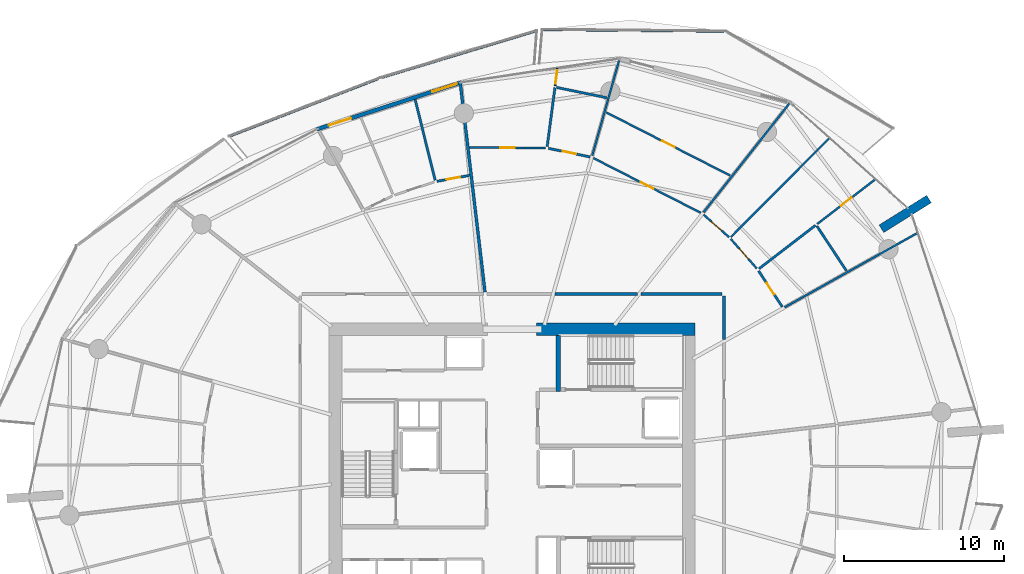
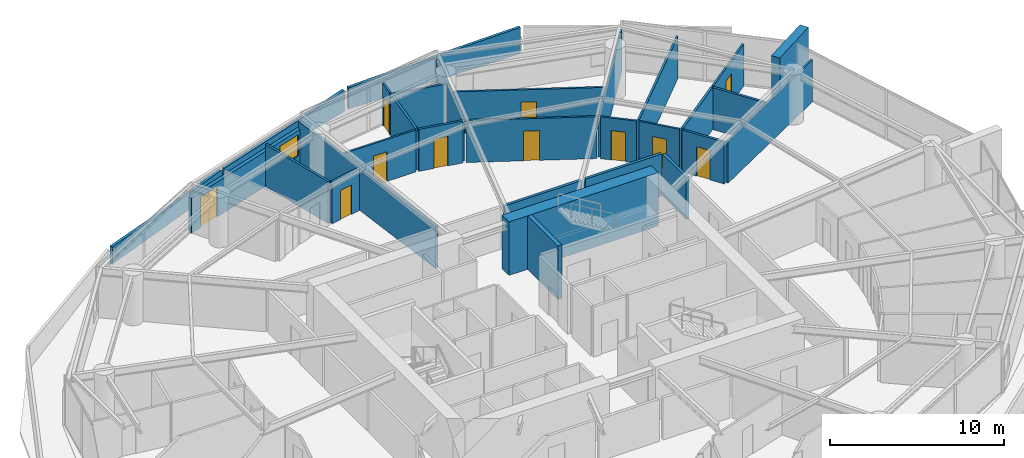
# One storey, part 15 of 23: 30 walls, 11 doors, 1 window, 12 openings.
"""IFC4 building model written with IfcOpenShell, lengths in metres."""

from ifc_helpers import new_model, si_unit, direction, frame, frame_2d, origin, place, context, subcontext, project, spatial, polyline, rectangle, outline, extrude, material, layer, layer_set, type_object, element, fill, save


model = new_model("IFC4")

# Units and contexts
model_context = context("Model", 3, precision=1e-05, world=origin(), true_north=direction((0.0, 1.0)))
body_context = subcontext(model_context, "Body", "Model", "MODEL_VIEW")
ifc_project = project(units=[si_unit("LENGTHUNIT", "METRE"), si_unit("AREAUNIT", "SQUARE_METRE"), si_unit("VOLUMEUNIT", "CUBIC_METRE"), si_unit("PLANEANGLEUNIT", "RADIAN"), si_unit("MASSUNIT", "GRAM", prefix="KILO")], contexts=[model_context])

# Site, building, storey
site_placement = place(None, origin())
site = spatial("IfcSite", under=ifc_project, at=site_placement, CompositionType="ELEMENT")
building_placement = place(site_placement, origin())
building = spatial("IfcBuilding", under=site, at=building_placement, Name="Kazma Halo Residences", CompositionType="ELEMENT")
storey_placement = place(building_placement, frame((0.0, 0.0, 101.39990234375)))
storey = spatial("IfcBuildingStorey", under=building, at=storey_placement, Name="L25", CompositionType="ELEMENT", Elevation=101.39990234375)

# Walls
ifc_material_1 = material(Name="White Concrete C50/60 Balustrade", Category="concrete")
ifc_layer_1 = layer(ifc_material_1, 0.179931640625)
ifc_layer_set_1 = layer_set([ifc_layer_1], Name="White Concrete C50/60 Balustrade")
wall_type_1 = type_object("IfcWallType", Name="WL-BAL-WAVE-180", PredefinedType="PARAPET", material=ifc_layer_set_1)
wall_1_placement = place(storey_placement, frame((61.637451171875, 69.00146484375, 0.0), z_axis=(0.0, 0.0, 1.0), x_axis=(-0.999958909473, 0.009065283509, 0.0)))
element("IfcWall", 1, at=wall_1_placement, inside=storey, type_object=wall_type_1, Name="L25 white wave balustrade wall NE.2", PredefinedType="PARAPET", context=body_context, shape_type="SweptSolid", body=[
    extrude(outline(polyline([(0.0, 0.0), (11.338134765625, 0.0), (11.338134765625, 1.4970703125), (5.669189453125, 1.696044921875), (0.0, 1.83203125), (0.0, 0.0)])), frame((0.0, 0.08984375, 0.0), z_axis=(0.0, -1.0, 0.0), x_axis=(1.0, 0.0, 0.0)), (0.0, 0.0, 1.0), 0.179931640625),
])
wall_2_placement = place(storey_placement, frame((49.961669921875, 69.035888671875, 0.0), z_axis=(0.0, 0.0, 1.0), x_axis=(-0.957356090971, -0.288910565886, 0.0)))
element("IfcWall", 2, at=wall_2_placement, inside=storey, type_object=wall_type_1, Name="L25 white wave balustrade wall NNW.1", PredefinedType="PARAPET", context=body_context, shape_type="SweptSolid", body=[
    extrude(outline(polyline([(0.0, 0.0), (10.1025390625, 0.0), (10.1025390625, 1.148193359375), (5.05126953125, 1.2841796875), (0.0, 1.483154296875), (0.0, 0.0)])), frame((0.0, 0.08984375, 0.0), z_axis=(0.0, -1.0, 0.0), x_axis=(1.0, 0.0, 0.0)), (0.0, 0.0, 1.0), 0.179931640625),
])
wall_3_placement = place(storey_placement, frame((40.063232421875, 66.039306640625, 0.0), z_axis=(0.0, 0.0, 1.0), x_axis=(-0.93269770772, -0.360659099446, 0.0)))
element("IfcWall", 3, at=wall_3_placement, inside=storey, type_object=wall_type_1, Name="L25 white wave balustrade wall NNW.2", PredefinedType="PARAPET", context=body_context, shape_type="SweptSolid", body=[
    extrude(outline(polyline([(0.0, 0.0), (9.97802734375, 0.0), (9.977783203125, 1.22412109375), (4.989013671875, 1.127197265625), (0.0, 1.148193359375), (0.0, 0.0)])), frame((0.0, 0.08984375, 0.0), z_axis=(0.0, -1.0, 0.0), x_axis=(1.0, 0.0, 0.0)), (0.0, 0.0, 1.0), 0.179931640625),
])
ifc_material_2 = material(Name="Pale Concrete C60/75", Category="concrete")
ifc_layer_2 = layer(ifc_material_2, 0.550048828125)
ifc_layer_set_2 = layer_set([ifc_layer_2], Name="Pale Concrete C60/75")
wall_type_2 = type_object("IfcWallType", Name="WL-BLADE-550", PredefinedType="SOLIDWALL", material=ifc_layer_set_2)
wall_4_placement = place(storey_placement, frame((71.468505859375, 56.664794921875, 0.0), z_axis=(0.0, 0.0, 1.0), x_axis=(0.848053161125, 0.529911158502, 0.0)))
element("IfcWall", 4, at=wall_4_placement, inside=storey, type_object=wall_type_2, Name="L25 pale concrete structural blade fin wall BW-01", PredefinedType="SOLIDWALL", context=body_context, shape_type="SweptSolid", body=[
    extrude(rectangle(XDim=3.5, YDim=0.550048828125, at=frame_2d((1.75, 0.0))), origin(), (0.0, 0.0, 1.0), 3.75),
])
ifc_material_3 = material(Name="Concrete C80/95", Category="concrete")
ifc_layer_3 = layer(ifc_material_3, 0.800048828125)
ifc_layer_set_3 = layer_set([ifc_layer_3], Name="Concrete C80/95")
wall_type_3 = type_object("IfcWallType", Name="WL-CORE-800", PredefinedType="SHEAR", material=ifc_layer_set_3)
wall_5_placement = place(storey_placement, frame((49.949951171875, 50.39990234375, 0.0), z_axis=(0.0, 0.0, 1.0), x_axis=(1.0, 0.0, 0.0)))
element("IfcWall", 5, at=wall_5_placement, inside=storey, type_object=wall_type_3, Name="L25 central core shear wall NE", PredefinedType="SHEAR", context=body_context, shape_type="SweptSolid", body=[
    extrude(rectangle(XDim=9.900146484375, YDim=0.800048828125, at=frame_2d((4.9501953125, 0.0))), origin(), (0.0, 0.0, 1.0), 3.75),
])
ifc_material_4 = material(Name="Concrete C60/75", Category="concrete")
ifc_layer_4 = layer(ifc_material_4, 0.280029296875)
ifc_layer_set_4 = layer_set([ifc_layer_4], Name="Concrete C60/75")
wall_type_4 = type_object("IfcWallType", Name="WL-CORE-ST-280", PredefinedType="SHEAR", material=ifc_layer_set_4)
wall_6_placement = place(storey_placement, frame((51.31005859375, 46.5, 0.0), z_axis=(0.0, 0.0, 1.0), x_axis=(0.0, 1.0, 0.0)))
element("IfcWall", 6, at=wall_6_placement, inside=storey, type_object=wall_type_4, Name="L25 stairwell bearing wall ST02-W", PredefinedType="SHEAR", context=body_context, shape_type="SweptSolid", body=[
    extrude(rectangle(XDim=3.5, YDim=0.280029296875, at=frame_2d((1.75, 0.0))), origin(), (0.0, 0.0, 1.0), 3.75),
])
ifc_material_5 = material(Name="Acoustic Twin-Stud Gypsum")
ifc_layer_5 = layer(ifc_material_5, 0.179931640625)
ifc_layer_set_5 = layer_set([ifc_layer_5], Name="Acoustic Twin-Stud Gypsum")
wall_type_5 = type_object("IfcWallType", Name="WL-DEM-180", PredefinedType="PARTITIONING", material=ifc_layer_set_5)
wall_7_placement = place(storey_placement, frame((46.732421875, 52.709228515625, 0.0), z_axis=(0.0, 0.0, 1.0), x_axis=(-0.117532311618, 0.993069058891, 0.0)))
element("IfcWall", 7, at=wall_7_placement, inside=storey, type_object=wall_type_5, Name="L25 apartment demising radial wall 03", PredefinedType="PARTITIONING", context=body_context, shape_type="SweptSolid", body=[
    extrude(rectangle(XDim=13.138427734375, YDim=0.179931640625, at=frame_2d((6.5693359375, 0.0))), origin(), (0.0, 0.0, 1.0), 2.940185546875),
])
wall_8_placement = place(storey_placement, frame((61.64990234375, 49.764404296875, 0.0), z_axis=(0.0, 0.0, 1.0), x_axis=(0.0, 1.0, 0.0)))
element("IfcWall", 8, at=wall_8_placement, inside=storey, type_object=wall_type_5, Name="L25 Apartment 4 inner wall 0", PredefinedType="PARTITIONING", context=body_context, shape_type="SweptSolid", body=[
    extrude(rectangle(XDim=2.715576171875, YDim=0.179931640625, at=frame_2d((1.35791015625, 0.0))), origin(), (0.0, 0.0, 1.0), 2.940185546875),
])
wall_9_placement = place(storey_placement, frame((61.530029296875, 52.60009765625, 0.0), z_axis=(0.0, 0.0, 1.0), x_axis=(-1.0, 0.0, 0.0)))
element("IfcWall", 9, at=wall_9_placement, inside=storey, type_object=wall_type_5, Name="L25 Apartment 4 inner wall 0", PredefinedType="PARTITIONING", context=body_context, shape_type="SweptSolid", body=[
    extrude(rectangle(XDim=5.0537109375, YDim=0.179931640625, at=frame_2d((2.52685546875, 0.0))), origin(), (0.0, 0.0, 1.0), 2.940185546875),
])
wall_10_placement = place(storey_placement, frame((56.236328125, 52.60009765625, 0.0), z_axis=(0.0, 0.0, 1.0), x_axis=(-1.0, 0.0, 0.0)))
element("IfcWall", 10, at=wall_10_placement, inside=storey, type_object=wall_type_5, Name="L25 Apartment 4 inner wall 1", PredefinedType="PARTITIONING", context=body_context, shape_type="SweptSolid", body=[
    extrude(rectangle(XDim=5.126708984375, YDim=0.179931640625, at=frame_2d((2.5634765625, 0.0))), origin(), (0.0, 0.0, 1.0), 2.940185546875),
])

# Wall, openings, door, window
ifc_material_6 = material(Name="Insulated Pale-Metal Composite Wall")
ifc_layer_6 = layer(ifc_material_6, 0.239990234375)
ifc_layer_set_6 = layer_set([ifc_layer_6], Name="Insulated Pale-Metal Composite Wall")
wall_type_6 = type_object("IfcWallType", Name="WL-EXT-HOST-240", PredefinedType="SOLIDWALL", material=ifc_layer_set_6)
wall_11_placement = place(storey_placement, frame((45.23291015625, 65.797119140625, 0.0), z_axis=(0.0, 0.0, 1.0), x_axis=(-0.951052494852, -0.30902937083, 0.0)))
wall_11 = element("IfcWall", 11, at=wall_11_placement, inside=storey, type_object=wall_type_6, Name="L25 exterior terrace-access wall B04", PredefinedType="SOLIDWALL", context=body_context, shape_type="SweptSolid", body=[
    extrude(rectangle(XDim=9.44384765625, YDim=0.239990234375, at=frame_2d((4.721923828125, 0.0))), origin(), (0.0, 0.0, 1.0), 2.4501953125),
])
opening_1_placement = place(wall_11_placement, frame((7.223876953125, 0.0, 0.0)))
opening_1 = element("IfcOpeningElement", 12, at=opening_1_placement, cuts=wall_11, Name="Opening DTR-1600", PredefinedType="OPENING", context=body_context, shape_type="SweptSolid", body=[
    extrude(rectangle(XDim=1.449951171875, YDim=2.14990234375, at=frame_2d((0.72509765625, 1.074951171875))), frame((0.0, 0.1298828125, 0.0), z_axis=(0.0, -1.0, 0.0), x_axis=(1.0, 0.0, 0.0)), (0.0, 0.0, 1.0), 0.260009765625),
])
opening_2_placement = place(wall_11_placement, frame((0.280029296875, 0.0, 0.64990234375)))
opening_2 = element("IfcOpeningElement", 13, at=opening_2_placement, cuts=wall_11, Name="Opening W-1800", PredefinedType="OPENING", context=body_context, shape_type="SweptSolid", body=[
    extrude(rectangle(XDim=1.60009765625, YDim=1.5, at=frame_2d((0.800048828125, 0.75))), frame((0.0, 0.1298828125, 0.0), z_axis=(0.0, -1.0, 0.0), x_axis=(1.0, 0.0, 0.0)), (0.0, 0.0, 1.0), 0.260009765625),
])
ifc_material_7 = material(Name="Aluminium AW-6063 T6 Double-Glazed Terrace Door", Category="aluminium")
door_type_1 = type_object("IfcDoorType", Name="DR-EXT-TERR-1600", OperationType="NOTDEFINED", PredefinedType="DOOR", material=ifc_material_7)
door_1_placement = place(opening_1_placement, origin())
door_1 = element("IfcDoor", 14, at=door_1_placement, inside=storey, type_object=door_type_1, Name="L25 B04 balcony terrace door", OperationType="DOUBLE_DOOR_SLIDING", OverallHeight=2.14990234375, OverallWidth=1.449951171875, PredefinedType="DOOR", context=body_context, shape_type="SweptSolid", body=[
    extrude(rectangle(XDim=1.449951171875, YDim=2.14990234375, at=frame_2d((0.72509765625, 1.074951171875))), frame((0.0, 0.02490234375, 0.0), z_axis=(0.0, -1.0, 0.0), x_axis=(1.0, 0.0, 0.0)), (0.0, 0.0, 1.0), 0.050048828125),
])
fill(opening_1, door_1)
ifc_material_8 = material(Name="Clear Triple-Silver Low-E Glass in Aluminium AW-6063 T6 Frame", Category="aluminium")
window_type = type_object("IfcWindowType", Name="WIN-RES-1800", PartitioningType="DOUBLE_PANEL_VERTICAL", PredefinedType="WINDOW", material=ifc_material_8)
window_placement = place(opening_2_placement, origin())
window = element("IfcWindow", 15, at=window_placement, inside=storey, type_object=window_type, Name="L25 B04 apartment window", OverallHeight=1.5, OverallWidth=1.60009765625, PartitioningType="SINGLE_PANEL", PredefinedType="WINDOW", context=body_context, shape_type="SweptSolid", body=[
    extrude(rectangle(XDim=1.60009765625, YDim=1.5, at=frame_2d((0.800048828125, 0.75))), frame((0.0, 0.030029296875, 0.0), z_axis=(0.0, -1.0, 0.0), x_axis=(1.0, 0.0, 0.0)), (0.0, 0.0, 1.0), 0.06005859375),
])
fill(opening_2, window)

# Wall
ifc_material_9 = material(Name="Gypsum Plasterboard Partition")
ifc_layer_7 = layer(ifc_material_9, 0.125)
ifc_layer_set_7 = layer_set([ifc_layer_7], Name="Gypsum Plasterboard Partition")
wall_type_7 = type_object("IfcWallType", Name="WL-PART-125", PredefinedType="PARTITIONING", material=ifc_layer_set_7)
wall_12_placement = place(storey_placement, frame((65.42529296875, 51.7587890625, 0.0), z_axis=(0.0, 0.0, 1.0), x_axis=(0.872502512898, 0.488609624328, 0.0)))
element("IfcWall", 16, at=wall_12_placement, inside=storey, type_object=wall_type_7, Name="L25 Apartment 4 radial partition 0", PredefinedType="PARTITIONING", context=body_context, shape_type="SweptSolid", body=[
    extrude(rectangle(XDim=9.507568359375, YDim=0.125, at=frame_2d((4.75390625, 0.0))), origin(), (0.0, 0.0, 1.0), 2.940185546875),
])

# Wall, opening, door
wall_13_placement = place(storey_placement, frame((67.46484375, 56.964111328125, 0.0), z_axis=(0.0, 0.0, 1.0), x_axis=(0.792775446562, 0.609513815536, 0.0)))
wall_13 = element("IfcWall", 17, at=wall_13_placement, inside=storey, type_object=wall_type_7, Name="L25 Apartment 4 Household Store Room partition wall", PredefinedType="PARTITIONING", context=body_context, shape_type="SweptSolid", body=[
    extrude(rectangle(XDim=4.553466796875, YDim=0.125, at=frame_2d((2.27685546875, 0.0))), origin(), (0.0, 0.0, 1.0), 2.940185546875),
])
opening_3_placement = place(wall_13_placement, frame((1.851806640625, 0.0, 0.0)))
opening_3 = element("IfcOpeningElement", 18, at=opening_3_placement, cuts=wall_13, Name="Opening DB-900", PredefinedType="OPENING", context=body_context, shape_type="SweptSolid", body=[
    extrude(rectangle(XDim=0.85009765625, YDim=2.06005859375, at=frame_2d((0.425048828125, 1.030029296875))), frame((0.0, 0.072509765625, 0.0), z_axis=(0.0, -1.0, 0.0), x_axis=(1.0, 0.0, 0.0)), (0.0, 0.0, 1.0), 0.14501953125),
])
ifc_material_10 = material(Name="Moisture-Sealed Timber Leaf", Category="wood")
door_type_2 = type_object("IfcDoorType", Name="DR-BTH-900", OperationType="NOTDEFINED", PredefinedType="DOOR", material=ifc_material_10)
door_2_placement = place(opening_3_placement, origin())
door_2 = element("IfcDoor", 19, at=door_2_placement, inside=storey, type_object=door_type_2, Name="L25 Apartment 4 Household Store Room door", OperationType="SINGLE_SWING_LEFT", OverallHeight=2.06005859375, OverallWidth=0.85009765625, PredefinedType="DOOR", context=body_context, shape_type="SweptSolid", body=[
    extrude(rectangle(XDim=0.85009765625, YDim=2.06005859375, at=frame_2d((0.425048828125, 1.030029296875))), frame((0.0, 0.02490234375, 0.0), z_axis=(0.0, -1.0, 0.0), x_axis=(1.0, 0.0, 0.0)), (0.0, 0.0, 1.0), 0.050048828125),
])
fill(opening_3, door_2)

# Wall
wall_14_placement = place(storey_placement, frame((62.07861328125, 56.151611328125, 0.0), z_axis=(0.0, 0.0, 1.0), x_axis=(0.705264029557, 0.70894474299, 0.0)))
element("IfcWall", 20, at=wall_14_placement, inside=storey, type_object=wall_type_7, Name="L25 Apartment 4 suite divider 0", PredefinedType="PARTITIONING", context=body_context, shape_type="SweptSolid", body=[
    extrude(rectangle(XDim=8.689208984375, YDim=0.125, at=frame_2d((4.3447265625, 0.0))), origin(), (0.0, 0.0, 1.0), 2.940185546875),
])

# Wall, opening, door
wall_15_placement = place(storey_placement, frame((63.69482421875, 54.17919921875, 0.0), z_axis=(0.0, 0.0, 1.0), x_axis=(-0.660607779432, 0.750731218049, 0.0)))
wall_15 = element("IfcWall", 21, at=wall_15_placement, inside=storey, type_object=wall_type_7, Name="L25 Apartment 4 Gourmet Kitchen hall wall", PredefinedType="PARTITIONING", context=body_context, shape_type="SweptSolid", body=[
    extrude(rectangle(XDim=2.46240234375, YDim=0.125, at=frame_2d((1.231201171875, 0.0))), origin(), (0.0, 0.0, 1.0), 2.940185546875),
])
opening_4_placement = place(wall_15_placement, frame((0.80615234375, 0.0, 0.0)))
opening_4 = element("IfcOpeningElement", 22, at=opening_4_placement, cuts=wall_15, Name="Opening DB-900", PredefinedType="OPENING", context=body_context, shape_type="SweptSolid", body=[
    extrude(rectangle(XDim=0.85009765625, YDim=2.06005859375, at=frame_2d((0.425048828125, 1.030029296875))), frame((0.0, 0.072509765625, 0.0), z_axis=(0.0, -1.0, 0.0), x_axis=(1.0, 0.0, 0.0)), (0.0, 0.0, 1.0), 0.14501953125),
])
door_3_placement = place(opening_4_placement, origin())
door_3 = element("IfcDoor", 23, at=door_3_placement, inside=storey, type_object=door_type_2, Name="L25 Apartment 4 Gourmet Kitchen door", OperationType="SINGLE_SWING_RIGHT", OverallHeight=2.06005859375, OverallWidth=0.85009765625, PredefinedType="DOOR", context=body_context, shape_type="SweptSolid", body=[
    extrude(rectangle(XDim=0.85009765625, YDim=2.06005859375, at=frame_2d((0.425048828125, 1.030029296875))), frame((0.0, 0.02490234375, 0.0), z_axis=(0.0, -1.0, 0.0), x_axis=(1.0, 0.0, 0.0)), (0.0, 0.0, 1.0), 0.050048828125),
])
fill(opening_4, door_3)

wall_16_placement = place(storey_placement, frame((61.955322265625, 56.14111328125, 0.0), z_axis=(0.0, 0.0, 1.0), x_axis=(-0.748379596579, 0.663270668297, 0.0)))
wall_16 = element("IfcWall", 24, at=wall_16_placement, inside=storey, type_object=wall_type_7, Name="L25 Apartment 4 Primary Bedroom hall wall", PredefinedType="PARTITIONING", context=body_context, shape_type="SweptSolid", body=[
    extrude(rectangle(XDim=2.1083984375, YDim=0.125, at=frame_2d((1.05419921875, 0.0))), origin(), (0.0, 0.0, 1.0), 2.940185546875),
])
opening_5_placement = place(wall_16_placement, frame((0.629150390625, 0.0, 0.0)))
opening_5 = element("IfcOpeningElement", 25, at=opening_5_placement, cuts=wall_16, Name="Opening DB-900", PredefinedType="OPENING", context=body_context, shape_type="SweptSolid", body=[
    extrude(rectangle(XDim=0.85009765625, YDim=2.06005859375, at=frame_2d((0.425048828125, 1.030029296875))), frame((0.0, 0.072509765625, 0.0), z_axis=(0.0, -1.0, 0.0), x_axis=(1.0, 0.0, 0.0)), (0.0, 0.0, 1.0), 0.14501953125),
])
door_4_placement = place(opening_5_placement, origin())
door_4 = element("IfcDoor", 26, at=door_4_placement, inside=storey, type_object=door_type_2, Name="L25 Apartment 4 Primary Bedroom door", OperationType="SINGLE_SWING_LEFT", OverallHeight=2.06005859375, OverallWidth=0.85009765625, PredefinedType="DOOR", context=body_context, shape_type="SweptSolid", body=[
    extrude(rectangle(XDim=0.85009765625, YDim=2.06005859375, at=frame_2d((0.425048828125, 1.030029296875))), frame((0.0, 0.02490234375, 0.0), z_axis=(0.0, -1.0, 0.0), x_axis=(1.0, 0.0, 0.0)), (0.0, 0.0, 1.0), 0.050048828125),
])
fill(opening_5, door_4)

# Wall
wall_17_placement = place(storey_placement, frame((60.364501953125, 57.684326171875, 0.0), z_axis=(0.0, 0.0, 1.0), x_axis=(0.619089966413, 0.785320070727, 0.0)))
element("IfcWall", 27, at=wall_17_placement, inside=storey, type_object=wall_type_7, Name="L25 Apartment 4 radial partition 1", PredefinedType="PARTITIONING", context=body_context, shape_type="SweptSolid", body=[
    extrude(rectangle(XDim=8.698974609375, YDim=0.125, at=frame_2d((4.349609375, 0.0))), origin(), (0.0, 0.0, 1.0), 2.940185546875),
])

# Wall, opening, door
wall_18_placement = place(storey_placement, frame((60.20458984375, 57.65576171875, 0.0), z_axis=(0.0, 0.0, 1.0), x_axis=(-0.891005117697, 0.453993260123, 0.0)))
wall_18 = element("IfcWall", 28, at=wall_18_placement, inside=storey, type_object=wall_type_7, Name="L25 Apartment 4 Primary Study hall wall", PredefinedType="PARTITIONING", context=body_context, shape_type="SweptSolid", body=[
    extrude(rectangle(XDim=7.533447265625, YDim=0.125, at=frame_2d((3.7666015625, 0.0))), origin(), (0.0, 0.0, 1.0), 2.940185546875),
])
opening_6_placement = place(wall_18_placement, frame((3.31689453125, 0.0, 0.0)))
opening_6 = element("IfcOpeningElement", 29, at=opening_6_placement, cuts=wall_18, Name="Opening DI-950", PredefinedType="OPENING", context=body_context, shape_type="SweptSolid", body=[
    extrude(rectangle(XDim=0.89990234375, YDim=2.080078125, at=frame_2d((0.449951171875, 1.0400390625))), frame((0.0, 0.072509765625, 0.0), z_axis=(0.0, -1.0, 0.0), x_axis=(1.0, 0.0, 0.0)), (0.0, 0.0, 1.0), 0.14501953125),
])
ifc_material_11 = material(Name="Timber Veneer Flush Leaf", Category="wood")
door_type_3 = type_object("IfcDoorType", Name="DR-INT-950", OperationType="NOTDEFINED", PredefinedType="DOOR", material=ifc_material_11)
door_5_placement = place(opening_6_placement, origin())
door_5 = element("IfcDoor", 30, at=door_5_placement, inside=storey, type_object=door_type_3, Name="L25 Apartment 4 Primary Study door", OperationType="SINGLE_SWING_LEFT", OverallHeight=2.080078125, OverallWidth=0.89990234375, PredefinedType="DOOR", context=body_context, shape_type="SweptSolid", body=[
    extrude(rectangle(XDim=0.89990234375, YDim=2.080078125, at=frame_2d((0.449951171875, 1.0400390625))), frame((0.0, 0.02490234375, 0.0), z_axis=(0.0, -1.0, 0.0), x_axis=(1.0, 0.0, 0.0)), (0.0, 0.0, 1.0), 0.050048828125),
])
fill(opening_6, door_5)

wall_19_placement = place(storey_placement, frame((62.037841796875, 59.98095703125, 0.0), z_axis=(0.0, 0.0, 1.0), x_axis=(-0.891001540604, 0.454000280442, 0.0)))
wall_19 = element("IfcWall", 31, at=wall_19_placement, inside=storey, type_object=wall_type_7, Name="L25 Apartment 4 Secondary Master Bedroom divider wall", PredefinedType="PARTITIONING", context=body_context, shape_type="SweptSolid", body=[
    extrude(rectangle(XDim=8.68896484375, YDim=0.125, at=frame_2d((4.344482421875, 0.0))), origin(), (0.0, 0.0, 1.0), 2.940185546875),
])
opening_7_placement = place(wall_19_placement, frame((3.89453125, 0.0, 0.0)))
opening_7 = element("IfcOpeningElement", 32, at=opening_7_placement, cuts=wall_19, Name="Opening DI-950", PredefinedType="OPENING", context=body_context, shape_type="SweptSolid", body=[
    extrude(rectangle(XDim=0.89990234375, YDim=2.080078125, at=frame_2d((0.449951171875, 1.0400390625))), frame((0.0, 0.072509765625, 0.0), z_axis=(0.0, -1.0, 0.0), x_axis=(1.0, 0.0, 0.0)), (0.0, 0.0, 1.0), 0.14501953125),
])
door_6_placement = place(opening_7_placement, origin())
door_6 = element("IfcDoor", 33, at=door_6_placement, inside=storey, type_object=door_type_3, Name="L25 Apartment 4 Secondary Master Bedroom door", OperationType="SINGLE_SWING_RIGHT", OverallHeight=2.080078125, OverallWidth=0.89990234375, PredefinedType="DOOR", context=body_context, shape_type="SweptSolid", body=[
    extrude(rectangle(XDim=0.89990234375, YDim=2.080078125, at=frame_2d((0.449951171875, 1.0400390625))), frame((0.0, 0.02490234375, 0.0), z_axis=(0.0, -1.0, 0.0), x_axis=(1.0, 0.0, 0.0)), (0.0, 0.0, 1.0), 0.050048828125),
])
fill(opening_7, door_6)

# Wall
wall_20_placement = place(storey_placement, frame((53.421142578125, 61.22216796875, 0.0), z_axis=(0.0, 0.0, 1.0), x_axis=(0.271466748189, 0.962447819171, 0.0)))
element("IfcWall", 34, at=wall_20_placement, inside=storey, type_object=wall_type_7, Name="L25 Apartment 4 radial partition 2", PredefinedType="PARTITIONING", context=body_context, shape_type="SweptSolid", body=[
    extrude(rectangle(XDim=6.165771484375, YDim=0.125, at=frame_2d((3.0830078125, 0.0))), origin(), (0.0, 0.0, 1.0), 2.940185546875),
])

# Wall, opening, door
wall_21_placement = place(storey_placement, frame((51.112548828125, 65.593505859375, 0.0), z_axis=(0.0, 0.0, 1.0), x_axis=(0.130646464172, 0.991429019849, 0.0)))
wall_21 = element("IfcWall", 35, at=wall_21_placement, inside=storey, type_object=wall_type_7, Name="L25 Apartment 4 West Walk-In Wardrobe partition wall", PredefinedType="PARTITIONING", context=body_context, shape_type="SweptSolid", body=[
    extrude(rectangle(XDim=1.085693359375, YDim=0.125, at=frame_2d((0.54296875, 0.0))), origin(), (0.0, 0.0, 1.0), 2.940185546875),
])
opening_8_placement = place(wall_21_placement, frame((0.117919921875, 0.0, 0.0)))
opening_8 = element("IfcOpeningElement", 36, at=opening_8_placement, cuts=wall_21, Name="Opening DB-900", PredefinedType="OPENING", context=body_context, shape_type="SweptSolid", body=[
    extrude(rectangle(XDim=0.85009765625, YDim=2.06005859375, at=frame_2d((0.425048828125, 1.030029296875))), frame((0.0, 0.072509765625, 0.0), z_axis=(0.0, -1.0, 0.0), x_axis=(1.0, 0.0, 0.0)), (0.0, 0.0, 1.0), 0.14501953125),
])
door_7_placement = place(opening_8_placement, origin())
door_7 = element("IfcDoor", 37, at=door_7_placement, inside=storey, type_object=door_type_2, Name="L25 Apartment 4 West Walk-In Wardrobe door", OperationType="SINGLE_SWING_LEFT", OverallHeight=2.06005859375, OverallWidth=0.85009765625, PredefinedType="DOOR", context=body_context, shape_type="SweptSolid", body=[
    extrude(rectangle(XDim=0.85009765625, YDim=2.06005859375, at=frame_2d((0.425048828125, 1.030029296875))), frame((0.0, 0.02490234375, 0.0), z_axis=(0.0, -1.0, 0.0), x_axis=(1.0, 0.0, 0.0)), (0.0, 0.0, 1.0), 0.050048828125),
])
fill(opening_8, door_7)

wall_22_placement = place(storey_placement, frame((50.509033203125, 61.701904296875, 0.0), z_axis=(0.0, 0.0, 1.0), x_axis=(-0.999977627334, 0.006689157742, 0.0)))
wall_22 = element("IfcWall", 38, at=wall_22_placement, inside=storey, type_object=wall_type_7, Name="L25 Apartment 4 North Master Bedroom hall wall", PredefinedType="PARTITIONING", context=body_context, shape_type="SweptSolid", body=[
    extrude(rectangle(XDim=4.74462890625, YDim=0.125, at=frame_2d((2.372314453125, 0.0))), origin(), (0.0, 0.0, 1.0), 2.940185546875),
])
opening_9_placement = place(wall_22_placement, frame((1.92236328125, 0.0, 0.0)))
opening_9 = element("IfcOpeningElement", 39, at=opening_9_placement, cuts=wall_22, Name="Opening DI-950", PredefinedType="OPENING", context=body_context, shape_type="SweptSolid", body=[
    extrude(rectangle(XDim=0.89990234375, YDim=2.080078125, at=frame_2d((0.449951171875, 1.0400390625))), frame((0.0, 0.072509765625, 0.0), z_axis=(0.0, -1.0, 0.0), x_axis=(1.0, 0.0, 0.0)), (0.0, 0.0, 1.0), 0.14501953125),
])
door_8_placement = place(opening_9_placement, origin())
door_8 = element("IfcDoor", 40, at=door_8_placement, inside=storey, type_object=door_type_3, Name="L25 Apartment 4 North Master Bedroom door", OperationType="SINGLE_SWING_RIGHT", OverallHeight=2.080078125, OverallWidth=0.89990234375, PredefinedType="DOOR", context=body_context, shape_type="SweptSolid", body=[
    extrude(rectangle(XDim=0.89990234375, YDim=2.080078125, at=frame_2d((0.449951171875, 1.0400390625))), frame((0.0, 0.02490234375, 0.0), z_axis=(0.0, -1.0, 0.0), x_axis=(1.0, 0.0, 0.0)), (0.0, 0.0, 1.0), 0.050048828125),
])
fill(opening_9, door_8)

ifc_material_12 = material(Name="Moisture-Resistant Gypsum")
ifc_layer_8 = layer(ifc_material_12, 0.14990234375)
ifc_layer_set_8 = layer_set([ifc_layer_8], Name="Moisture-Resistant Gypsum")
wall_type_8 = type_object("IfcWallType", Name="WL-WET-150", PredefinedType="PARTITIONING", material=ifc_layer_set_8)
wall_23_placement = place(storey_placement, frame((65.283203125, 51.79345703125, 0.0), z_axis=(0.0, 0.0, 1.0), x_axis=(-0.55052065121, 0.834821545357, 0.0)))
wall_23 = element("IfcWall", 41, at=wall_23_placement, inside=storey, type_object=wall_type_8, Name="L25 Apartment 4 Guest Bathroom hall wall", PredefinedType="PARTITIONING", context=body_context, shape_type="SweptSolid", body=[
    extrude(rectangle(XDim=2.68701171875, YDim=0.14990234375, at=frame_2d((1.343505859375, 0.0))), origin(), (0.0, 0.0, 1.0), 2.940185546875),
])
opening_10_placement = place(wall_23_placement, frame((0.91845703125, 0.0, 0.0)))
opening_10 = element("IfcOpeningElement", 42, at=opening_10_placement, cuts=wall_23, Name="Opening DB-900", PredefinedType="OPENING", context=body_context, shape_type="SweptSolid", body=[
    extrude(rectangle(XDim=0.85009765625, YDim=2.06005859375, at=frame_2d((0.425048828125, 1.030029296875))), frame((0.0, 0.0849609375, 0.0), z_axis=(0.0, -1.0, 0.0), x_axis=(1.0, 0.0, 0.0)), (0.0, 0.0, 1.0), 0.169921875),
])
door_9_placement = place(opening_10_placement, origin())
door_9 = element("IfcDoor", 43, at=door_9_placement, inside=storey, type_object=door_type_2, Name="L25 Apartment 4 Guest Bathroom door", OperationType="SINGLE_SWING_RIGHT", OverallHeight=2.06005859375, OverallWidth=0.85009765625, PredefinedType="DOOR", context=body_context, shape_type="SweptSolid", body=[
    extrude(rectangle(XDim=0.85009765625, YDim=2.06005859375, at=frame_2d((0.425048828125, 1.030029296875))), frame((0.0, 0.02490234375, 0.0), z_axis=(0.0, -1.0, 0.0), x_axis=(1.0, 0.0, 0.0)), (0.0, 0.0, 1.0), 0.050048828125),
])
fill(opening_10, door_9)

# Walls
wall_24_placement = place(storey_placement, frame((69.2880859375, 54.0361328125, 0.0), z_axis=(0.0, 0.0, 1.0), x_axis=(-0.550524546363, 0.834818976696, 0.0)))
element("IfcWall", 44, at=wall_24_placement, inside=storey, type_object=wall_type_8, Name="L25 Apartment 4 Guest Bathroom back wall", PredefinedType="PARTITIONING", context=body_context, shape_type="SweptSolid", body=[
    extrude(rectangle(XDim=3.351806640625, YDim=0.14990234375, at=frame_2d((1.67578125, 0.0))), origin(), (0.0, 0.0, 1.0), 2.940185546875),
])
wall_25_placement = place(storey_placement, frame((63.82568359375, 54.16650390625, 0.0), z_axis=(0.0, 0.0, 1.0), x_axis=(0.792796914985, 0.609485891215, 0.0)))
element("IfcWall", 45, at=wall_25_placement, inside=storey, type_object=wall_type_8, Name="L25 Apartment 4 Guest Bathroom side wall", PredefinedType="PARTITIONING", context=body_context, shape_type="SweptSolid", body=[
    extrude(rectangle(XDim=4.460205078125, YDim=0.14990234375, at=frame_2d((2.22998046875, 0.0))), origin(), (0.0, 0.0, 1.0), 2.940185546875),
])

# Wall, opening, door
wall_26_placement = place(storey_placement, frame((53.296142578125, 61.14599609375, 0.0), z_axis=(0.0, 0.0, 1.0), x_axis=(-0.97945810815, 0.201647748262, 0.0)))
wall_26 = element("IfcWall", 46, at=wall_26_placement, inside=storey, type_object=wall_type_8, Name="L25 Apartment 4 East En-Suite Bathroom hall wall", PredefinedType="PARTITIONING", context=body_context, shape_type="SweptSolid", body=[
    extrude(rectangle(XDim=2.66357421875, YDim=0.14990234375, at=frame_2d((1.331787109375, 0.0))), origin(), (0.0, 0.0, 1.0), 2.940185546875),
])
opening_11_placement = place(wall_26_placement, frame((0.906982421875, 0.0, 0.0)))
opening_11 = element("IfcOpeningElement", 47, at=opening_11_placement, cuts=wall_26, Name="Opening DB-900", PredefinedType="OPENING", context=body_context, shape_type="SweptSolid", body=[
    extrude(rectangle(XDim=0.85009765625, YDim=2.06005859375, at=frame_2d((0.425048828125, 1.030029296875))), frame((0.0, 0.0849609375, 0.0), z_axis=(0.0, -1.0, 0.0), x_axis=(1.0, 0.0, 0.0)), (0.0, 0.0, 1.0), 0.169921875),
])
door_10_placement = place(opening_11_placement, origin())
door_10 = element("IfcDoor", 48, at=door_10_placement, inside=storey, type_object=door_type_2, Name="L25 Apartment 4 East En-Suite Bathroom door", OperationType="SINGLE_SWING_RIGHT", OverallHeight=2.06005859375, OverallWidth=0.85009765625, PredefinedType="DOOR", context=body_context, shape_type="SweptSolid", body=[
    extrude(rectangle(XDim=0.85009765625, YDim=2.06005859375, at=frame_2d((0.425048828125, 1.030029296875))), frame((0.0, 0.02490234375, 0.0), z_axis=(0.0, -1.0, 0.0), x_axis=(1.0, 0.0, 0.0)), (0.0, 0.0, 1.0), 0.050048828125),
])
fill(opening_11, door_10)

# Walls
wall_27_placement = place(storey_placement, frame((54.33740234375, 64.838134765625, 0.0), z_axis=(0.0, 0.0, 1.0), x_axis=(-0.97945792566, 0.201648634664, 0.0)))
element("IfcWall", 49, at=wall_27_placement, inside=storey, type_object=wall_type_8, Name="L25 Apartment 4 East En-Suite Bathroom back wall", PredefinedType="PARTITIONING", context=body_context, shape_type="SweptSolid", body=[
    extrude(rectangle(XDim=3.21435546875, YDim=0.14990234375, at=frame_2d((1.607177734375, 0.0))), origin(), (0.0, 0.0, 1.0), 2.940185546875),
])
wall_28_placement = place(storey_placement, frame((50.61083984375, 61.79052734375, 0.0), z_axis=(0.0, 0.0, 1.0), x_axis=(0.130769774339, 0.991412762738, 0.0)))
element("IfcWall", 50, at=wall_28_placement, inside=storey, type_object=wall_type_8, Name="L25 Apartment 4 East En-Suite Bathroom side wall", PredefinedType="PARTITIONING", context=body_context, shape_type="SweptSolid", body=[
    extrude(rectangle(XDim=3.705810546875, YDim=0.14990234375, at=frame_2d((1.85302734375, 0.0))), origin(), (0.0, 0.0, 1.0), 2.940185546875),
])

# Wall, opening, door
wall_29_placement = place(storey_placement, frame((45.76953125, 59.995361328125, 0.0), z_axis=(0.0, 0.0, 1.0), x_axis=(-0.983792584323, -0.179310208943, 0.0)))
wall_29 = element("IfcWall", 51, at=wall_29_placement, inside=storey, type_object=wall_type_8, Name="L25 Apartment 5 Guest Bathroom hall wall", PredefinedType="PARTITIONING", context=body_context, shape_type="SweptSolid", body=[
    extrude(rectangle(XDim=2.07373046875, YDim=0.14990234375, at=frame_2d((1.036865234375, 0.0))), origin(), (0.0, 0.0, 1.0), 2.940185546875),
])
opening_12_placement = place(wall_29_placement, frame((0.61181640625, 0.0, 0.0)))
opening_12 = element("IfcOpeningElement", 52, at=opening_12_placement, cuts=wall_29, Name="Opening DB-900", PredefinedType="OPENING", context=body_context, shape_type="SweptSolid", body=[
    extrude(rectangle(XDim=0.85009765625, YDim=2.06005859375, at=frame_2d((0.425048828125, 1.030029296875))), frame((0.0, 0.0849609375, 0.0), z_axis=(0.0, -1.0, 0.0), x_axis=(1.0, 0.0, 0.0)), (0.0, 0.0, 1.0), 0.169921875),
])
door_11_placement = place(opening_12_placement, origin())
door_11 = element("IfcDoor", 53, at=door_11_placement, inside=storey, type_object=door_type_2, Name="L25 Apartment 5 Guest Bathroom door", OperationType="SINGLE_SWING_LEFT", OverallHeight=2.06005859375, OverallWidth=0.85009765625, PredefinedType="DOOR", context=body_context, shape_type="SweptSolid", body=[
    extrude(rectangle(XDim=0.85009765625, YDim=2.06005859375, at=frame_2d((0.425048828125, 1.030029296875))), frame((0.0, 0.02490234375, 0.0), z_axis=(0.0, -1.0, 0.0), x_axis=(1.0, 0.0, 0.0)), (0.0, 0.0, 1.0), 0.050048828125),
])
fill(opening_12, door_11)

# Wall
wall_30_placement = place(storey_placement, frame((43.619384765625, 59.69482421875, 0.0), z_axis=(0.0, 0.0, 1.0), x_axis=(-0.240311723112, 0.970695768887, 0.0)))
element("IfcWall", 54, at=wall_30_placement, inside=storey, type_object=wall_type_8, Name="L25 Apartment 5 Guest Bathroom side wall", PredefinedType="PARTITIONING", context=body_context, shape_type="SweptSolid", body=[
    extrude(rectangle(XDim=5.193359375, YDim=0.14990234375, at=frame_2d((2.5966796875, 0.0))), origin(), (0.0, 0.0, 1.0), 2.940185546875),
])

save(model, "model.ifc")
